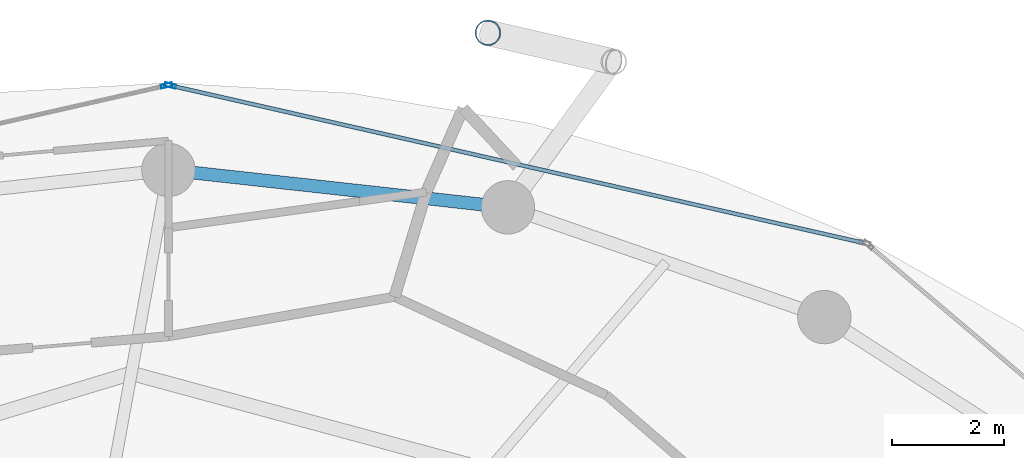
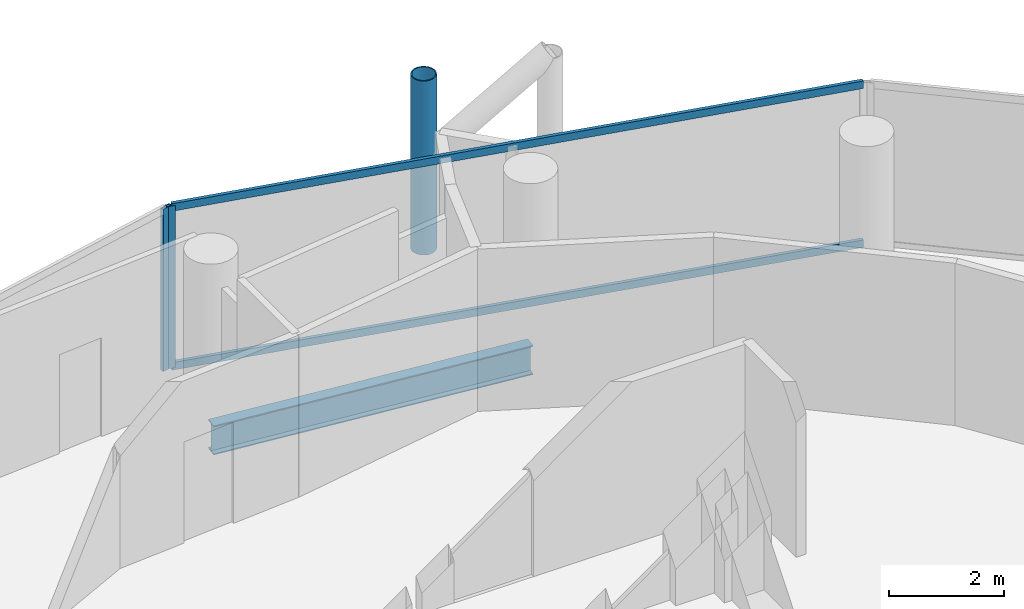
# One storey, part 17 of 26: 5 members, 1 beam, 2 elements without a shape of their own.
"""IFC4 building model written with IfcOpenShell, lengths in metres."""

import ifcopenshell
import ifcopenshell.guid

model = None  # the IFC model being written
_history = None  # IfcOwnerHistory: only IFC2X3 demands one
_inside = {}  # id of a spatial element -> (the spatial element, [elements in it])
_under = {}  # id of a project, library or spatial element -> (it, [spatial elements below it])
_declared = {}  # id of a project -> (the project, [libraries it declares])
_typed = {}  # id of a type object -> (the type object, [elements of that type])
_made_of = {}  # id of a material, layer set ... -> (it, [elements and type objects made of it])


def new_model(schema):
    """Start an empty IFC model of exactly this schema.

    Asked for "IFC4X3", IfcOpenShell would pick the latest addendum, in which some entities
    have other attributes; the version numbers below select the first issue.
    IFC2X3 requires an IfcOwnerHistory on every rooted entity: one is made here for all.
    """
    global model, _history
    if schema == "IFC4X3":
        model = ifcopenshell.file(schema_version=(4, 3, 0, 0))
    else:
        model = ifcopenshell.file(schema=schema)
    _inside.clear()
    _under.clear()
    _declared.clear()
    _typed.clear()
    _made_of.clear()
    _history = None
    if model.schema == "IFC2X3":
        org = make("IfcOrganization", Name="unknown")
        user = make(
            "IfcPersonAndOrganization",
            ThePerson=make("IfcPerson", FamilyName="unknown"),
            TheOrganization=org,
        )
        app = make(
            "IfcApplication",
            ApplicationDeveloper=org,
            Version="unknown",
            ApplicationFullName="unknown",
            ApplicationIdentifier="unknown",
        )
        _history = make(
            "IfcOwnerHistory",
            OwningUser=user,
            OwningApplication=app,
            ChangeAction="ADDED",
            CreationDate=0,
        )
    return model


def make(cls, **values):
    """One entity of the class cls with the attributes given. An attribute that is None is left unset."""
    return model.create_entity(
        cls, **{name: value for name, value in values.items() if value is not None}
    )


def rooted(cls, **values):
    """An entity with a GlobalId (a new one), such as an element, a storey or a relation."""
    return make(cls, GlobalId=ifcopenshell.guid.new(), OwnerHistory=_history, **values)


def si_unit(unit_type, name, prefix=None):
    """IfcSIUnit, for example si_unit("LENGTHUNIT", "METRE", prefix="MILLI")."""
    return make("IfcSIUnit", UnitType=unit_type, Prefix=prefix, Name=name)


def assignment(units):
    """IfcUnitAssignment: the units of a project."""
    return None if units is None else make("IfcUnitAssignment", Units=units)


def point(xyz):
    """IfcCartesianPoint."""
    return None if xyz is None else make("IfcCartesianPoint", Coordinates=xyz)


def direction(xyz):
    """IfcDirection."""
    return None if xyz is None else make("IfcDirection", DirectionRatios=xyz)


def frame(location, z_axis=None, x_axis=None):
    """IfcAxis2Placement3D, a coordinate frame: its origin and axes. An axis left out is left unset."""
    return make(
        "IfcAxis2Placement3D",
        Location=point(location),
        Axis=direction(z_axis),
        RefDirection=direction(x_axis),
    )


def frame_2d(location, x_axis=None):
    """IfcAxis2Placement2D, a coordinate frame in the plane: its origin and x axis."""
    return make(
        "IfcAxis2Placement2D", Location=point(location), RefDirection=direction(x_axis)
    )


def origin():
    """The frame at (0, 0, 0) with its axes left unset."""
    return frame((0.0, 0.0, 0.0))


def origin_2d():
    """The frame at (0, 0) in the plane with its x axis left unset."""
    return frame_2d((0.0, 0.0))


def place(relative_to, where):
    """IfcLocalPlacement: puts the frame where relative to a parent placement (None: the world)."""
    return make(
        "IfcLocalPlacement", PlacementRelTo=relative_to, RelativePlacement=where
    )


def context(
    kind, dimensions, precision=None, world=None, true_north=None, identifier=None
):
    """IfcGeometricRepresentationContext, for example the 3D "Model" context."""
    return make(
        "IfcGeometricRepresentationContext",
        ContextIdentifier=identifier,
        ContextType=kind,
        CoordinateSpaceDimension=dimensions,
        Precision=precision,
        WorldCoordinateSystem=world,
        TrueNorth=true_north,
    )


def subcontext(parent, identifier, kind, view, scale=None):
    """IfcGeometricRepresentationSubContext, for example "Body" below "Model"."""
    return make(
        "IfcGeometricRepresentationSubContext",
        ContextIdentifier=identifier,
        ContextType=kind,
        ParentContext=parent,
        TargetScale=scale,
        TargetView=view,
    )


def project(units=None, contexts=None):
    """IfcProject with its units and contexts."""
    return rooted(
        "IfcProject",
        Name="project",
        RepresentationContexts=contexts,
        UnitsInContext=assignment(units),
    )


def spatial(cls, under=None, at=None, **own):
    """A site, building, storey or space (cls), placed at a placement, below another one or the project."""
    s = rooted(cls, ObjectPlacement=at, **own)
    if under is not None:
        _under.setdefault(under.id(), (under, []))[1].append(s)
    return s


def profile(cls, at=None, kind="AREA", **sizes):
    """A parametric profile (cls). Its sizes go by their IFC names, for example OverallWidth=200.0."""
    return make(cls, ProfileType=kind, Position=at, **sizes)


def hollow_rectangle(**sizes):
    """IfcRectangleHollowProfileDef."""
    return profile("IfcRectangleHollowProfileDef", **sizes)


def hollow_circle(**sizes):
    """IfcCircleHollowProfileDef."""
    return profile("IfcCircleHollowProfileDef", **sizes)


def i_section(**sizes):
    """IfcIShapeProfileDef."""
    return profile("IfcIShapeProfileDef", **sizes)


def extrude(swept, where, along, depth):
    """IfcExtrudedAreaSolid: the profile swept, set in the frame where, extruded along a direction by depth."""
    return make(
        "IfcExtrudedAreaSolid",
        SweptArea=swept,
        Position=where,
        ExtrudedDirection=direction(along),
        Depth=depth,
    )


def shape(context_of_items, identifier, shape_type, items):
    """IfcShapeRepresentation: the items that make up one representation, for example the "Body"."""
    return make(
        "IfcShapeRepresentation",
        ContextOfItems=context_of_items,
        RepresentationIdentifier=identifier,
        RepresentationType=shape_type,
        Items=items,
    )


def material(Name=None, Category=None):
    """IfcMaterial."""
    return make("IfcMaterial", Name=Name, Category=Category)


def layer(
    of_material, thickness, ventilated=None, Name=None, Category=None, Priority=None
):
    """IfcMaterialLayer: one layer of a wall or slab, of a material (None: an air gap)."""
    return make(
        "IfcMaterialLayer",
        Material=of_material,
        LayerThickness=thickness,
        IsVentilated=ventilated,
        Name=Name,
        Category=Category,
        Priority=Priority,
    )


def layer_set(layers, Name=None):
    """IfcMaterialLayerSet."""
    return make("IfcMaterialLayerSet", MaterialLayers=layers, LayerSetName=Name)


def material_profile(
    of_material, cross_section, Name=None, Category=None, Priority=None
):
    """IfcMaterialProfile: a cross section and its material."""
    return make(
        "IfcMaterialProfile",
        Name=Name,
        Material=of_material,
        Profile=cross_section,
        Priority=Priority,
        Category=Category,
    )


def profile_set(profiles, Name=None, composite=None):
    """IfcMaterialProfileSet."""
    return make(
        "IfcMaterialProfileSet",
        Name=Name,
        MaterialProfiles=profiles,
        CompositeProfile=composite,
    )


def made_of(thing, what):
    """Note that an element or type object is made of a material, layer set ...; save() writes the relation."""
    if what is not None:
        _made_of.setdefault(what.id(), (what, []))[1].append(thing)
    return thing


def type_object(cls, material=None, **own):
    """A type object (cls), such as IfcWallType, which elements share."""
    return made_of(rooted(cls, **own), material)


def element(
    cls,
    number,
    at=None,
    inside=None,
    cuts=None,
    type_object=None,
    material=None,
    context=None,
    identifier="Body",
    shape_type=None,
    held_by="IfcProductDefinitionShape",
    body=None,
    shapes=None,
    **own,
):
    """One element of the class cls, such as IfcWall. Its Tag is "e" and its number.

    at: its placement. inside: the storey or other place that contains it. cuts: it is an
    opening in that element (IfcRelVoidsElement). A single representation is given by context,
    identifier, shape_type and body (its items); several are given by shapes. held_by: the class
    of the entity that holds the representations. save() writes the other relations.
    """
    e = rooted(cls, Tag="e%d" % number, ObjectPlacement=at, **own)
    if body is not None:
        shapes = [shape(context, identifier, shape_type, body)]
    if shapes is not None:
        e.Representation = make(held_by, Representations=shapes)
    if inside is not None:
        _inside.setdefault(inside.id(), (inside, []))[1].append(e)
    if cuts is not None:
        rooted(
            "IfcRelVoidsElement", RelatingBuildingElement=cuts, RelatedOpeningElement=e
        )
    if type_object is not None:
        _typed.setdefault(type_object.id(), (type_object, []))[1].append(e)
    return made_of(e, material)


def aggregate(whole, parts):
    """IfcRelAggregates: a whole, such as a stair, and the parts it consists of."""
    return rooted("IfcRelAggregates", RelatingObject=whole, RelatedObjects=parts)


def save(model, path):
    """Write the relations noted so far, then the file.

    IfcRelAggregates (storeys below a building ...), IfcRelContainedInSpatialStructure (elements
    in a storey), IfcRelDefinesByType, IfcRelAssociatesMaterial and IfcRelDeclares: one each for
    every whole, place, type object, material and project.
    """
    for whole, parts in _under.values():
        aggregate(whole, parts)
    for where, things in _inside.values():
        rooted(
            "IfcRelContainedInSpatialStructure",
            RelatedElements=things,
            RelatingStructure=where,
        )
    for kind, things in _typed.values():
        rooted("IfcRelDefinesByType", RelatedObjects=things, RelatingType=kind)
    for what, things in _made_of.values():
        rooted("IfcRelAssociatesMaterial", RelatedObjects=things, RelatingMaterial=what)
    for by, libraries in _declared.values():
        rooted("IfcRelDeclares", RelatingContext=by, RelatedDefinitions=libraries)
    model.write(path)


model = new_model("IFC4")

# Units and contexts
model_context = context("Model", 3, precision=1e-05, world=origin(), true_north=direction((0.0, 1.0)))
body_context = subcontext(model_context, "Body", "Model", "MODEL_VIEW")
ifc_project = project(units=[si_unit("LENGTHUNIT", "METRE"), si_unit("AREAUNIT", "SQUARE_METRE"), si_unit("VOLUMEUNIT", "CUBIC_METRE"), si_unit("PLANEANGLEUNIT", "RADIAN"), si_unit("MASSUNIT", "GRAM", prefix="KILO")], contexts=[model_context])

# Site, building, storey
site_placement = place(None, origin())
site = spatial("IfcSite", under=ifc_project, at=site_placement, CompositionType="ELEMENT")
building_placement = place(site_placement, origin())
building = spatial("IfcBuilding", under=site, at=building_placement, Name="Nuhasar Tower", CompositionType="ELEMENT")
storey_placement = place(building_placement, frame((0.0, 0.0, 166.35009765625)))
storey = spatial("IfcBuildingStorey", under=building, at=storey_placement, Name="L40", CompositionType="ELEMENT", Elevation=166.35009765625)

# Beam
ifc_material_1 = material(Name="Steel S355", Category="steel")
ifc_material_profile_1 = material_profile(ifc_material_1, i_section(OverallWidth=0.22998046875, OverallDepth=0.616943359375, WebThickness=0.01318359375, FlangeThickness=0.022216796875, at=origin_2d()), Name="W24X94")
ifc_profile_set_1 = profile_set([ifc_material_profile_1], Name="Steel S355")
beam_type = type_object("IfcBeamType", Name="BM-RING-W24X94", PredefinedType="SPANDREL", material=ifc_profile_set_1)
beam_placement = place(storey_placement, frame((45.04296875, 45.68408203125, -0.55908203125), z_axis=(-0.993981289157, 0.109549974015, 0.0), x_axis=(-0.109549974015, -0.993981289157, 0.0)))
element("IfcBeam", 1, at=beam_placement, inside=storey, type_object=beam_type, Name="L40 Perimeter Ring Spandrel 06", PredefinedType="SPANDREL", context=body_context, shape_type="SweptSolid", body=[
    extrude(i_section(OverallWidth=0.22998046875, OverallDepth=0.616943359375, WebThickness=0.01318359375, FlangeThickness=0.022216796875, at=origin_2d()), origin(), (0.0, 0.0, 1.0), 6.07958984375),
])

# Curtain wall, member
ifc_material_2 = material(Name="Aluminium 6063-T6", Category="aluminium")
ifc_layer = layer(ifc_material_2, 0.199951171875)
ifc_layer_set = layer_set([ifc_layer], Name="Aluminium 6063-T6")
curtain_wall_type = type_object("IfcCurtainWallType", Name="CW-Z2-HTL", PredefinedType="NOTDEFINED", material=ifc_layer_set)
curtain_wall_1_placement = place(storey_placement, origin())
curtain_wall_1 = element("IfcCurtainWall", 2, at=curtain_wall_1_placement, inside=storey, type_object=curtain_wall_type, Name="L40 Unitised Curtain Wall 03", PredefinedType="NOTDEFINED")
ifc_material_profile_2 = material_profile(ifc_material_2, hollow_rectangle(XDim=0.070068359375, YDim=0.199951171875, WallThickness=0.0048828125, at=origin_2d()), Name="CWM-3")
ifc_profile_set_2 = profile_set([ifc_material_profile_2], Name="Aluminium 6063-T6")
member_type_1 = type_object("IfcMemberType", Name="CW-MUL-S3", PredefinedType="MULLION", material=ifc_profile_set_2)
member_1_placement = place(storey_placement, frame((39.0341796875, 47.852294921875, 0.0), z_axis=(0.0, 0.0, 1.0), x_axis=(-0.22139729566, -0.975183694221, 0.0)))
member_1 = element("IfcMember", 3, at=member_1_placement, type_object=member_type_1, Name="CW-Z2 mullion 2", PredefinedType="MULLION", context=body_context, shape_type="SweptSolid", body=[
    extrude(hollow_rectangle(XDim=0.070068359375, YDim=0.199951171875, WallThickness=0.0048828125, at=origin_2d()), origin(), (0.0, 0.0, 1.0), 3.449951171875),
])

curtain_wall_2_placement = place(storey_placement, origin())
curtain_wall_2 = element("IfcCurtainWall", 4, at=curtain_wall_2_placement, inside=storey, type_object=curtain_wall_type, Name="L40 Unitised Curtain Wall 04", PredefinedType="NOTDEFINED")
member_2_placement = place(storey_placement, frame((38.9658203125, 47.852294921875, 0.0), z_axis=(0.0, 0.0, 1.0), x_axis=(0.22139729566, -0.975183694221, 0.0)))
member_2 = element("IfcMember", 5, at=member_2_placement, type_object=member_type_1, Name="CW-Z2 mullion 1", PredefinedType="MULLION", context=body_context, shape_type="SweptSolid", body=[
    extrude(hollow_rectangle(XDim=0.070068359375, YDim=0.199951171875, WallThickness=0.0048828125, at=origin_2d()), origin(), (0.0, 0.0, 1.0), 3.449951171875),
])
aggregate(curtain_wall_2, [member_2])

# Member
ifc_material_profile_3 = material_profile(ifc_material_2, hollow_rectangle(XDim=0.070068359375, YDim=0.159912109375, WallThickness=0.00439453125, at=origin_2d()), Name="CWT-3")
ifc_profile_set_3 = profile_set([ifc_material_profile_3], Name="Aluminium 6063-T6")
member_type_2 = type_object("IfcMemberType", Name="CW-TRN-S3", PredefinedType="USERDEFINED", material=ifc_profile_set_3)
member_3_placement = place(storey_placement, frame((51.36181640625, 45.053466796875, 0.034912109375), z_axis=(-0.975183434528, 0.221398439519, 0.0), x_axis=(-0.221398439519, -0.975183434528, 0.0)))
member_3 = element("IfcMember", 6, at=member_3_placement, type_object=member_type_2, Name="CW-Z2 transom 1.1", ObjectType="TRANSOM", PredefinedType="USERDEFINED", context=body_context, shape_type="SweptSolid", body=[
    extrude(hollow_rectangle(XDim=0.070068359375, YDim=0.159912109375, WallThickness=0.00439453125, at=origin_2d()), origin(), (0.0, 0.0, 1.0), 12.606201171875),
])

member_4_placement = place(storey_placement, frame((51.36181640625, 45.053466796875, 3.414794921875), z_axis=(-0.975183434528, 0.221398439519, 0.0), x_axis=(-0.221398439519, -0.975183434528, 0.0)))
member_4 = element("IfcMember", 7, at=member_4_placement, type_object=member_type_2, Name="CW-Z2 transom 1.2", ObjectType="TRANSOM", PredefinedType="USERDEFINED", context=body_context, shape_type="SweptSolid", body=[
    extrude(hollow_rectangle(XDim=0.070068359375, YDim=0.159912109375, WallThickness=0.00439453125, at=origin_2d()), origin(), (0.0, 0.0, 1.0), 12.606201171875),
])

aggregate(curtain_wall_1, [member_1, member_3, member_4])

ifc_material_3 = material(Name="Steel S460", Category="steel")
ifc_material_profile_4 = material_profile(ifc_material_3, hollow_circle(Radius=0.228515625, WallThickness=0.022216796875, at=origin_2d()), Name="HSS457X22.2")
ifc_profile_set_4 = profile_set([ifc_material_profile_4], Name="Steel S460")
member_type_3 = type_object("IfcMemberType", Name="EXO-BRONZE-457", PredefinedType="BRACE", material=ifc_profile_set_4)
member_5_placement = place(storey_placement, frame((44.68603515625, 48.7900390625, 0.0), z_axis=(0.0, 0.0, 1.0), x_axis=(1.0, 0.0, 0.0)))
element("IfcMember", 8, at=member_5_placement, inside=storey, type_object=member_type_3, Name="L40 Exoskeleton Chord Column EC-03B", PredefinedType="BRACE", context=body_context, shape_type="SweptSolid", body=[
    extrude(hollow_circle(Radius=0.228515625, WallThickness=0.022216796875, at=origin_2d()), origin(), (0.0, 0.0, 1.0), 3.699951171875),
])

save(model, "model.ifc")
